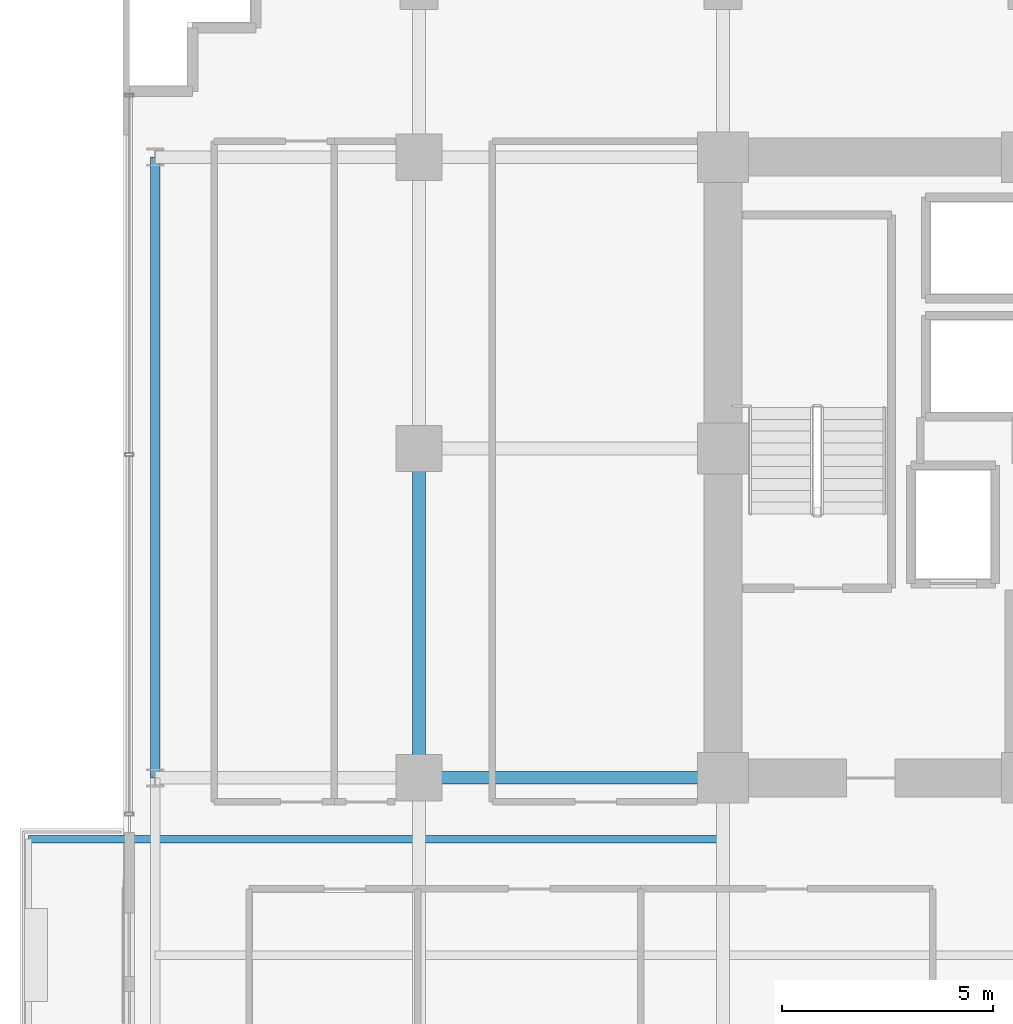
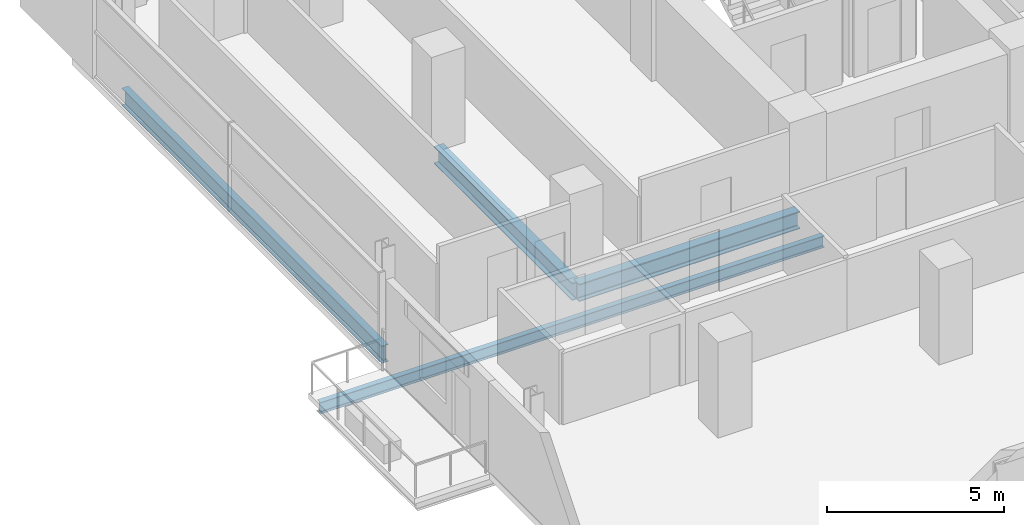
# One storey, part 6 of 31: 4 beams.
"""IFC4 building model written with IfcOpenShell, lengths in metres."""

from ifc_helpers import new_model, si_unit, direction, frame, origin, origin_2d, place, context, subcontext, project, spatial, i_section, extrude, material, material_profile, profile_set, type_object, element, save


model = new_model("IFC4")

# Units and contexts
model_context = context("Model", 3, precision=1e-05, world=origin(), true_north=direction((0.0, 1.0)))
body_context = subcontext(model_context, "Body", "Model", "MODEL_VIEW")
ifc_project = project(units=[si_unit("LENGTHUNIT", "METRE"), si_unit("AREAUNIT", "SQUARE_METRE"), si_unit("VOLUMEUNIT", "CUBIC_METRE"), si_unit("PLANEANGLEUNIT", "RADIAN"), si_unit("MASSUNIT", "GRAM", prefix="KILO")], contexts=[model_context])

# Site, building, storey
site_placement = place(None, origin())
site = spatial("IfcSite", under=ifc_project, at=site_placement, CompositionType="ELEMENT")
building_placement = place(site_placement, origin())
building = spatial("IfcBuilding", under=site, at=building_placement, Name="Zarnakvel Exchange Tower", CompositionType="ELEMENT")
storey_placement = place(building_placement, frame((0.0, 0.0, 67.0)))
storey = spatial("IfcBuildingStorey", under=building, at=storey_placement, Name="L18", CompositionType="ELEMENT", Elevation=67.0)

# Beams
ifc_material = material(Name="Steel S355", Category="steel")
ifc_material_profile_1 = material_profile(ifc_material, i_section(OverallWidth=0.179931640625, OverallDepth=0.39990234375, WebThickness=0.008544921875, FlangeThickness=0.013427734375, FilletRadius=0.02099609375, at=origin_2d()))
ifc_profile_set_1 = profile_set([ifc_material_profile_1], Name="Steel S355")
beam_type_1 = type_object("IfcBeamType", Name="B-06", PredefinedType="JOIST", material=ifc_profile_set_1)
beam_1_placement = place(storey_placement, frame((-14.39990234375, -2.64990234375, -0.425048828125), z_axis=(-1.0, 0.0, 0.0), x_axis=(0.0, -1.0, 0.0)))
element("IfcBeam", 1, at=beam_1_placement, inside=storey, type_object=beam_type_1, Name="L18 Continuous West Loggia Beam N", PredefinedType="JOIST", context=body_context, shape_type="SweptSolid", body=[
    extrude(i_section(OverallWidth=0.179931640625, OverallDepth=0.39990234375, WebThickness=0.008544921875, FlangeThickness=0.013427734375, FilletRadius=0.02099609375, at=origin_2d()), origin(), (0.0, 0.0, 1.0), 16.4501953125),
])
ifc_material_profile_2 = material_profile(ifc_material, i_section(OverallWidth=0.300048828125, OverallDepth=0.60009765625, WebThickness=0.015380859375, FlangeThickness=0.030029296875, FilletRadius=0.027099609375, at=origin_2d()))
ifc_profile_set_2 = profile_set([ifc_material_profile_2], Name="Steel S355")
beam_type_2 = type_object("IfcBeamType", Name="G-04", PredefinedType="BEAM", material=ifc_profile_set_2)
beam_2_placement = place(storey_placement, frame((-21.60009765625, -1.199951171875, -0.52490234375), z_axis=(1.0, 0.0, 0.0), x_axis=(0.0, 1.0, 0.0)))
element("IfcBeam", 2, at=beam_2_placement, inside=storey, type_object=beam_type_2, Name="L18 Tower E-W Frame Beam", PredefinedType="BEAM", context=body_context, shape_type="SweptSolid", body=[
    extrude(i_section(OverallWidth=0.300048828125, OverallDepth=0.60009765625, WebThickness=0.015380859375, FlangeThickness=0.030029296875, FilletRadius=0.027099609375, at=origin_2d()), origin(), (0.0, 0.0, 1.0), 7.2001953125),
])
beam_3_placement = place(storey_placement, frame((-21.60009765625, -1.199951171875, -0.52490234375), z_axis=(0.0, 1.0, 0.0), x_axis=(-1.0, 0.0, 0.0)))
element("IfcBeam", 3, at=beam_3_placement, inside=storey, type_object=beam_type_2, Name="L18 Tower N-S Frame Beam", PredefinedType="BEAM", context=body_context, shape_type="SweptSolid", body=[
    extrude(i_section(OverallWidth=0.300048828125, OverallDepth=0.60009765625, WebThickness=0.015380859375, FlangeThickness=0.030029296875, FilletRadius=0.027099609375, at=origin_2d()), origin(), (0.0, 0.0, 1.0), 7.800048828125),
])
ifc_material_profile_3 = material_profile(ifc_material, i_section(OverallWidth=0.219970703125, OverallDepth=0.60009765625, WebThickness=0.011962890625, FlangeThickness=0.01904296875, FilletRadius=0.02392578125, at=origin_2d()))
ifc_profile_set_3 = profile_set([ifc_material_profile_3], Name="Steel S355")
beam_type_3 = type_object("IfcBeamType", Name="SP-01", PredefinedType="SPANDREL", material=ifc_profile_set_3)
beam_4_placement = place(storey_placement, frame((-27.85009765625, -1.199951171875, -0.52490234375), z_axis=(0.0, 1.0, 0.0), x_axis=(-1.0, 0.0, 0.0)))
element("IfcBeam", 4, at=beam_4_placement, inside=storey, type_object=beam_type_3, Name="L18 Tower N-S Frame Beam", PredefinedType="SPANDREL", context=body_context, shape_type="SweptSolid", body=[
    extrude(i_section(OverallWidth=0.219970703125, OverallDepth=0.60009765625, WebThickness=0.011962890625, FlangeThickness=0.01904296875, FilletRadius=0.02392578125, at=origin_2d()), origin(), (0.0, 0.0, 1.0), 14.699951171875),
])

save(model, "model.ifc")
